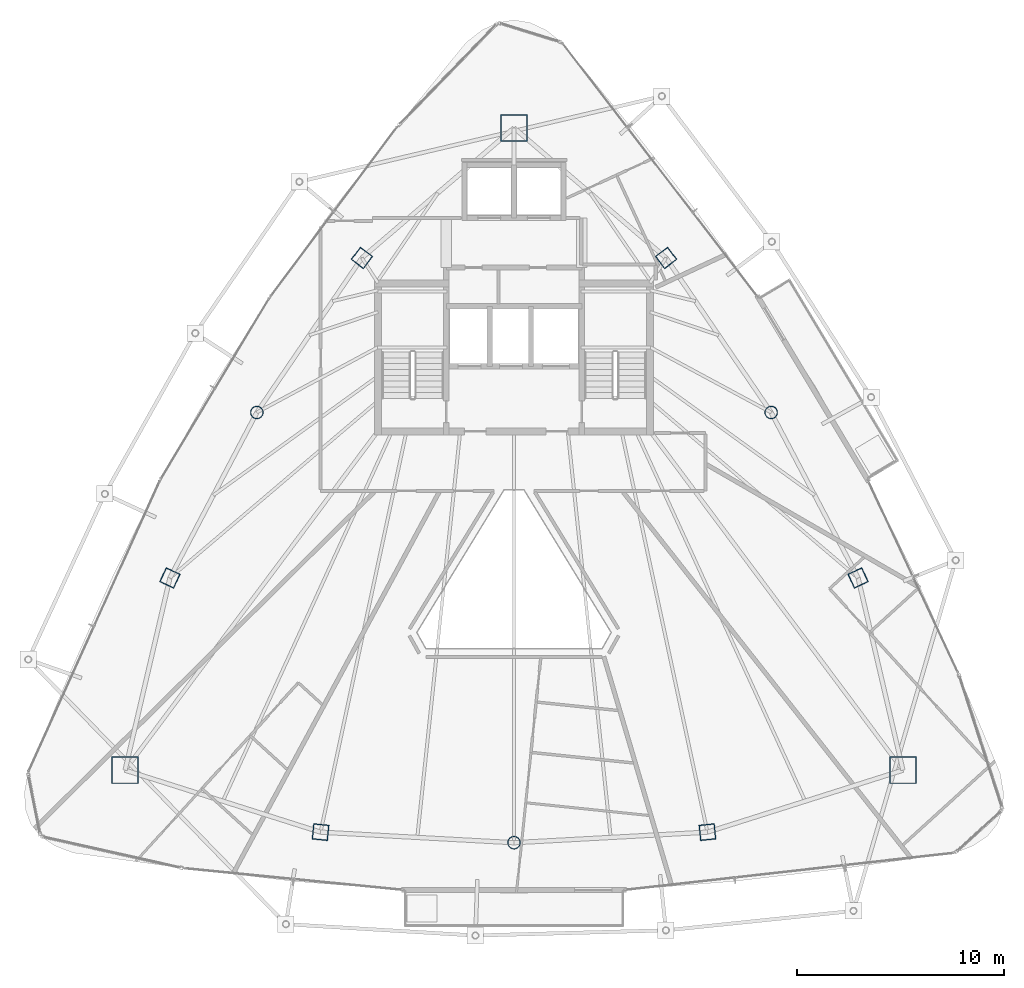
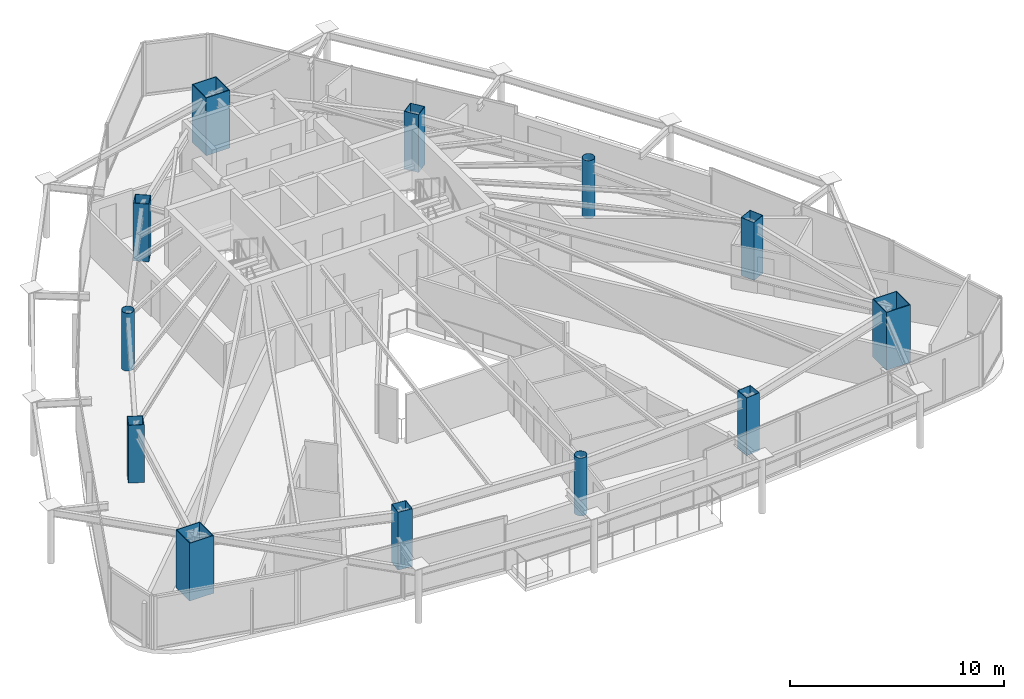
# One storey, part 1 of 34: 12 columns.
"""IFC4 building model written with IfcOpenShell, lengths in metres."""

from ifc_helpers import new_model, si_unit, direction, frame, origin, origin_2d, place, context, subcontext, project, spatial, hollow_rectangle, hollow_circle, extrude, material, material_profile, profile_set, type_object, element, save


model = new_model("IFC4")

# Units and contexts
model_context = context("Model", 3, precision=1e-05, world=origin(), true_north=direction((0.0, 1.0)))
body_context = subcontext(model_context, "Body", "Model", "MODEL_VIEW")
ifc_project = project(units=[si_unit("LENGTHUNIT", "METRE"), si_unit("AREAUNIT", "SQUARE_METRE"), si_unit("VOLUMEUNIT", "CUBIC_METRE"), si_unit("PLANEANGLEUNIT", "RADIAN"), si_unit("MASSUNIT", "GRAM", prefix="KILO")], contexts=[model_context])

# Site, building, storey
site_placement = place(None, origin())
site = spatial("IfcSite", under=ifc_project, at=site_placement, CompositionType="ELEMENT")
building_placement = place(site_placement, origin())
building = spatial("IfcBuilding", under=site, at=building_placement, Name="Orvanel Arch Residences", CompositionType="ELEMENT")
storey_placement = place(building_placement, frame((0.0, 0.0, 203.0)))
storey = spatial("IfcBuildingStorey", under=building, at=storey_placement, Name="L57", CompositionType="ELEMENT", Elevation=203.0)

# Columns
ifc_material_1 = material(Name="Structural steel AS/NZS 1163 C350L0 (Grade 350)", Category="steel")
ifc_material_profile_1 = material_profile(ifc_material_1, hollow_circle(Radius=0.304931640625, WallThickness=0.01611328125, at=origin_2d()), Name="CHS610x16")
ifc_profile_set_1 = profile_set([ifc_material_profile_1], Name="Structural steel AS/NZS 1163 C350L0 (Grade 350)")
column_type_1 = type_object("IfcColumnType", Name="CC-610", PredefinedType="COLUMN", material=ifc_profile_set_1)
for number, where, z_axis, x_axis, name in (
    (1, (20.569091796875, 27.64111328125, 0.0), (0.0, 0.0, 1.0), (1.0, 0.0, 0.0), "L57 High-Rise Tube Column 02"),
    (2, (33.0, 6.843994140625, 0.0), (0.0, 0.0, 1.0), (1.0, 0.0, 0.0), "L57 High-Rise Tube Column 05"),
    (3, (45.430908203125, 27.64111328125, 0.0), (0.0, 0.0, 1.0), (1.0, 0.0, 0.0), "L57 High-Rise Tube Column 08"),
):
    element("IfcColumn", number, at=place(storey_placement, frame(where, z_axis=z_axis, x_axis=x_axis)), inside=storey, type_object=column_type_1, Name=name, PredefinedType="COLUMN", context=body_context, shape_type="SweptSolid", body=[
        extrude(hollow_circle(Radius=0.304931640625, WallThickness=0.01611328125, at=origin_2d()), origin(), (0.0, 0.0, 1.0), 3.300048828125),
    ])
ifc_material_2 = material(Name="Structural steel AS/NZS 3678 Grade 450", Category="steel")
ifc_material_profile_2 = material_profile(ifc_material_2, hollow_rectangle(XDim=1.300048828125, YDim=1.300048828125, WallThickness=0.0400390625, at=origin_2d()), Name="BOX1300x1300x40")
ifc_profile_set_2 = profile_set([ifc_material_profile_2], Name="Structural steel AS/NZS 3678 Grade 450")
column_type_2 = type_object("IfcColumnType", Name="MC-1300", PredefinedType="COLUMN", material=ifc_profile_set_2)
for number, where, z_axis, x_axis, name in (
    (4, (33.0, 41.39794921875, 0.0), (0.0, 0.0, 1.0), (1.0, 0.0, 0.0), "L57 Corner Mega-Column 1"),
    (5, (14.198974609375, 10.35107421875, 0.0), (0.0, 0.0, 1.0), (1.0, 0.0, 0.0), "L57 Corner Mega-Column 2"),
    (6, (51.801025390625, 10.35107421875, 0.0), (0.0, 0.0, 1.0), (1.0, 0.0, 0.0), "L57 Corner Mega-Column 3"),
):
    element("IfcColumn", number, at=place(storey_placement, frame(where, z_axis=z_axis, x_axis=x_axis)), inside=storey, type_object=column_type_2, Name=name, PredefinedType="COLUMN", context=body_context, shape_type="SweptSolid", body=[
        extrude(hollow_rectangle(XDim=1.300048828125, YDim=1.300048828125, WallThickness=0.0400390625, at=origin_2d()), origin(), (0.0, 0.0, 1.0), 3.300048828125),
    ])
ifc_material_3 = material(Name="Structural steel AS/NZS 3678 Grade 350", Category="steel")
ifc_material_profile_3 = material_profile(ifc_material_3, hollow_rectangle(XDim=0.75, YDim=0.75, WallThickness=0.02490234375, at=origin_2d()), Name="BOX750x750x25")
ifc_profile_set_3 = profile_set([ifc_material_profile_3], Name="Structural steel AS/NZS 3678 Grade 350")
column_type_3 = type_object("IfcColumnType", Name="TC-750", PredefinedType="COLUMN", material=ifc_profile_set_3)
for number, where, z_axis, x_axis, name in (
    (7, (25.64794921875, 35.113037109375, 0.0), (0.0, 0.0, 1.0), (0.600420225326, 0.799684658487, 0.0), "L57 High-Rise Tube Column 01"),
    (8, (16.366943359375, 19.64208984375, 0.0), (0.0, 0.0, 1.0), (0.422618261741, 0.906307787037, 0.0), "L57 High-Rise Tube Column 03"),
    (9, (23.64892578125, 7.35498046875, 0.0), (0.0, 0.0, 1.0), (-0.994880708829, 0.101056297183, 0.0), "L57 High-Rise Tube Column 04"),
    (10, (42.35107421875, 7.35498046875, 0.0), (0.0, 0.0, 1.0), (0.994880708829, 0.101056297183, 0.0), "L57 High-Rise Tube Column 06"),
    (11, (49.633056640625, 19.64208984375, 0.0), (0.0, 0.0, 1.0), (-0.422618261741, 0.906307787037, 0.0), "L57 High-Rise Tube Column 07"),
    (12, (40.35205078125, 35.113037109375, 0.0), (0.0, 0.0, 1.0), (-0.600420225326, 0.799684658487, 0.0), "L57 High-Rise Tube Column 09"),
):
    element("IfcColumn", number, at=place(storey_placement, frame(where, z_axis=z_axis, x_axis=x_axis)), inside=storey, type_object=column_type_3, Name=name, PredefinedType="COLUMN", context=body_context, shape_type="SweptSolid", body=[
        extrude(hollow_rectangle(XDim=0.75, YDim=0.75, WallThickness=0.02490234375, at=origin_2d()), origin(), (0.0, 0.0, 1.0), 3.300048828125),
    ])

save(model, "model.ifc")
